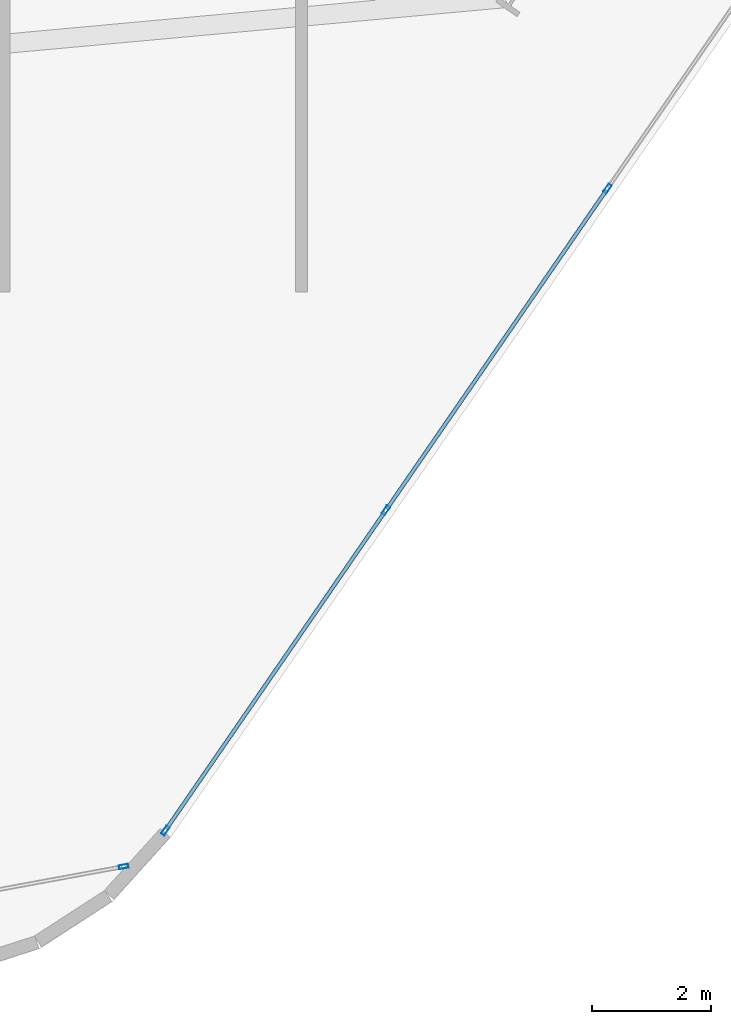
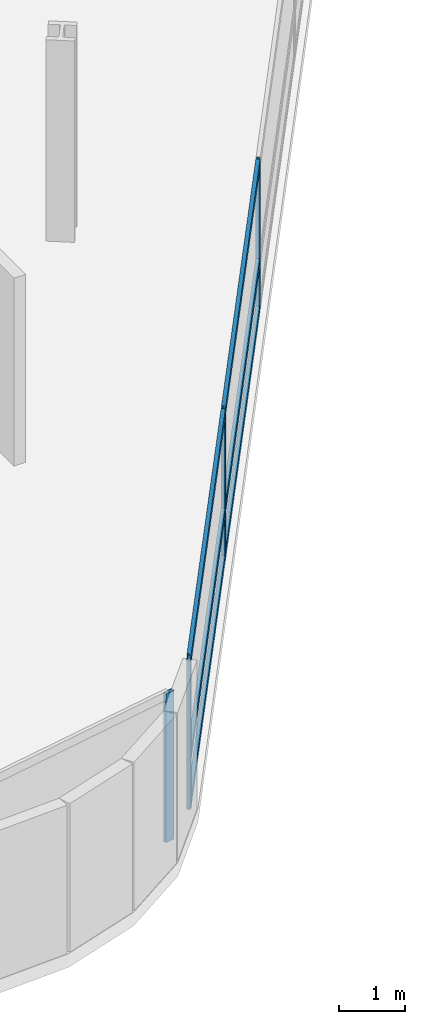
# One storey, part 8 of 27: 10 members, 2 elements without a shape of their own.
"""IFC4 building model written with IfcOpenShell, lengths in metres."""

from ifc_helpers import new_model, si_unit, direction, frame, origin, origin_2d, place, context, subcontext, project, spatial, hollow_rectangle, extrude, material, layer, layer_set, material_profile, profile_set, type_object, element, aggregate, save


model = new_model("IFC4")

# Units and contexts
model_context = context("Model", 3, precision=1e-05, world=origin(), true_north=direction((0.0, 1.0)))
body_context = subcontext(model_context, "Body", "Model", "MODEL_VIEW")
ifc_project = project(units=[si_unit("LENGTHUNIT", "METRE"), si_unit("AREAUNIT", "SQUARE_METRE"), si_unit("VOLUMEUNIT", "CUBIC_METRE"), si_unit("PLANEANGLEUNIT", "RADIAN"), si_unit("MASSUNIT", "GRAM", prefix="KILO")], contexts=[model_context])

# Site, building, storey
site_placement = place(None, origin())
site = spatial("IfcSite", under=ifc_project, at=site_placement, CompositionType="ELEMENT")
building_placement = place(site_placement, origin())
building = spatial("IfcBuilding", under=site, at=building_placement, Name="Varnelok Gate Tower", CompositionType="ELEMENT")
storey_placement = place(building_placement, frame((0.0, 0.0, 30.699951171875)))
storey = spatial("IfcBuildingStorey", under=building, at=storey_placement, Name="L06", CompositionType="ELEMENT", Elevation=30.699951171875)

# Curtain wall, members
ifc_material = material(Name="Anodized Aluminum Alloy 6063-T6", Category="aluminium")
ifc_layer_1 = layer(ifc_material, 0.179931640625)
ifc_layer_set_1 = layer_set([ifc_layer_1], Name="Anodized Aluminum Alloy 6063-T6")
curtain_wall_type_1 = type_object("IfcCurtainWallType", Name="CW3-HOTEL-VISION", PredefinedType="USERDEFINED", material=ifc_layer_set_1)
curtain_wall_1_placement = place(storey_placement, origin())
curtain_wall_1 = element("IfcCurtainWall", 1, at=curtain_wall_1_placement, inside=storey, type_object=curtain_wall_type_1, Name="L06 East End Vision Curtain Wall", ObjectType="UNITISED CURTAIN WALL", PredefinedType="USERDEFINED")
ifc_material_profile_1 = material_profile(ifc_material, hollow_rectangle(XDim=0.06494140625, YDim=0.159912109375, WallThickness=0.00390625, at=origin_2d()), Name="ALU160X65X4")
ifc_profile_set_1 = profile_set([ifc_material_profile_1], Name="Anodized Aluminum Alloy 6063-T6")
member_type_1 = type_object("IfcMemberType", Name="CW-MULL-160", PredefinedType="MULLION", material=ifc_profile_set_1)
member_1_placement = place(storey_placement, frame((67.64208984375, -2.265380859375, 0.0), z_axis=(0.0, 0.0, 1.0), x_axis=(0.823532685111, -0.567268822124, 0.0)))
member_1 = element("IfcMember", 2, at=member_1_placement, type_object=member_type_1, Name="CW3 mullion 5", PredefinedType="MULLION", context=body_context, shape_type="SweptSolid", body=[
    extrude(hollow_rectangle(XDim=0.06494140625, YDim=0.159912109375, WallThickness=0.00390625, at=origin_2d()), origin(), (0.0, 0.0, 1.0), 2.72998046875),
])
member_2_placement = place(storey_placement, frame((63.9169921875, -7.67333984375, 0.0), z_axis=(0.0, 0.0, 1.0), x_axis=(0.823532685111, -0.567268822124, 0.0)))
member_2 = element("IfcMember", 3, at=member_2_placement, type_object=member_type_1, Name="CW3 mullion 6", PredefinedType="MULLION", context=body_context, shape_type="SweptSolid", body=[
    extrude(hollow_rectangle(XDim=0.06494140625, YDim=0.159912109375, WallThickness=0.00390625, at=origin_2d()), origin(), (0.0, 0.0, 1.0), 2.72998046875),
])
member_3_placement = place(storey_placement, frame((60.21044921875, -13.054443359375, 0.0), z_axis=(0.0, 0.0, 1.0), x_axis=(0.823532685111, -0.567268822124, 0.0)))
member_3 = element("IfcMember", 4, at=member_3_placement, type_object=member_type_1, Name="CW3 mullion 7", PredefinedType="MULLION", context=body_context, shape_type="SweptSolid", body=[
    extrude(hollow_rectangle(XDim=0.06494140625, YDim=0.159912109375, WallThickness=0.00390625, at=origin_2d()), origin(), (0.0, 0.0, 1.0), 2.72998046875),
])

# Curtain wall, member
ifc_layer_2 = layer(ifc_material, 0.179931640625)
ifc_layer_set_2 = layer_set([ifc_layer_2], Name="Anodized Aluminum Alloy 6063-T6")
curtain_wall_type_2 = type_object("IfcCurtainWallType", Name="CW5-WINDCORNER-GLAZ", PredefinedType="USERDEFINED", material=ifc_layer_set_2)
curtain_wall_2_placement = place(storey_placement, origin())
curtain_wall_2 = element("IfcCurtainWall", 5, at=curtain_wall_2_placement, inside=storey, type_object=curtain_wall_type_2, Name="L06 Wind-Shaped Corner Curtain Wall SE", ObjectType="STRUCTURAL GLAZING", PredefinedType="USERDEFINED")
member_4_placement = place(storey_placement, frame((59.510498046875, -13.65966796875, 0.0), z_axis=(0.0, 0.0, 1.0), x_axis=(-0.181203239917, 0.983445670001, 0.0)))
member_4 = element("IfcMember", 6, at=member_4_placement, type_object=member_type_1, Name="CW5 mullion 2", PredefinedType="MULLION", context=body_context, shape_type="SweptSolid", body=[
    extrude(hollow_rectangle(XDim=0.06494140625, YDim=0.159912109375, WallThickness=0.00390625, at=origin_2d()), origin(), (0.0, 0.0, 1.0), 2.72998046875),
])
aggregate(curtain_wall_2, [member_4])

# Member
ifc_material_profile_2 = material_profile(ifc_material, hollow_rectangle(XDim=0.06494140625, YDim=0.159912109375, WallThickness=0.00390625, at=origin_2d()), Name="ALU160X65X4")
ifc_profile_set_2 = profile_set([ifc_material_profile_2], Name="Anodized Aluminum Alloy 6063-T6")
member_type_2 = type_object("IfcMemberType", Name="CW-TRAN-160", PredefinedType="USERDEFINED", material=ifc_profile_set_2)
member_5_placement = place(storey_placement, frame((67.623779296875, -2.292236328125, 0.032470703125), z_axis=(-0.567279204469, -0.823525533409, 0.0), x_axis=(0.823525533409, -0.567279204469, 0.0)))
member_5 = element("IfcMember", 7, at=member_5_placement, type_object=member_type_2, Name="CW3 transom 5.1", ObjectType="TRANSOM", PredefinedType="USERDEFINED", context=body_context, shape_type="SweptSolid", body=[
    extrude(hollow_rectangle(XDim=0.06494140625, YDim=0.159912109375, WallThickness=0.00390625, at=origin_2d()), origin(), (0.0, 0.0, 1.0), 6.501708984375),
])

member_6_placement = place(storey_placement, frame((67.623779296875, -2.292236328125, 0.900146484375), z_axis=(-0.567279204469, -0.823525533409, 0.0), x_axis=(0.823525533409, -0.567279204469, 0.0)))
member_6 = element("IfcMember", 8, at=member_6_placement, type_object=member_type_2, Name="CW3 transom 5.2", ObjectType="TRANSOM", PredefinedType="USERDEFINED", context=body_context, shape_type="SweptSolid", body=[
    extrude(hollow_rectangle(XDim=0.06494140625, YDim=0.159912109375, WallThickness=0.00390625, at=origin_2d()), origin(), (0.0, 0.0, 1.0), 6.501708984375),
])

member_7_placement = place(storey_placement, frame((67.623779296875, -2.292236328125, 2.697509765625), z_axis=(-0.567279204469, -0.823525533409, 0.0), x_axis=(0.823525533409, -0.567279204469, 0.0)))
member_7 = element("IfcMember", 9, at=member_7_placement, type_object=member_type_2, Name="CW3 transom 5.3", ObjectType="TRANSOM", PredefinedType="USERDEFINED", context=body_context, shape_type="SweptSolid", body=[
    extrude(hollow_rectangle(XDim=0.06494140625, YDim=0.159912109375, WallThickness=0.00390625, at=origin_2d()), origin(), (0.0, 0.0, 1.0), 6.501708984375),
])

member_8_placement = place(storey_placement, frame((63.898681640625, -7.699951171875, 0.032470703125), z_axis=(-0.567281349446, -0.823524055854, 0.0), x_axis=(0.823524055854, -0.567281349446, 0.0)))
member_8 = element("IfcMember", 10, at=member_8_placement, type_object=member_type_2, Name="CW3 transom 6.1", ObjectType="TRANSOM", PredefinedType="USERDEFINED", context=body_context, shape_type="SweptSolid", body=[
    extrude(hollow_rectangle(XDim=0.06494140625, YDim=0.159912109375, WallThickness=0.00390625, at=origin_2d()), origin(), (0.0, 0.0, 1.0), 6.46923828125),
])

member_9_placement = place(storey_placement, frame((63.898681640625, -7.699951171875, 0.900146484375), z_axis=(-0.567281349446, -0.823524055854, 0.0), x_axis=(0.823524055854, -0.567281349446, 0.0)))
member_9 = element("IfcMember", 11, at=member_9_placement, type_object=member_type_2, Name="CW3 transom 6.2", ObjectType="TRANSOM", PredefinedType="USERDEFINED", context=body_context, shape_type="SweptSolid", body=[
    extrude(hollow_rectangle(XDim=0.06494140625, YDim=0.159912109375, WallThickness=0.00390625, at=origin_2d()), origin(), (0.0, 0.0, 1.0), 6.46923828125),
])

member_10_placement = place(storey_placement, frame((63.898681640625, -7.699951171875, 2.697509765625), z_axis=(-0.567281349446, -0.823524055854, 0.0), x_axis=(0.823524055854, -0.567281349446, 0.0)))
member_10 = element("IfcMember", 12, at=member_10_placement, type_object=member_type_2, Name="CW3 transom 6.3", ObjectType="TRANSOM", PredefinedType="USERDEFINED", context=body_context, shape_type="SweptSolid", body=[
    extrude(hollow_rectangle(XDim=0.06494140625, YDim=0.159912109375, WallThickness=0.00390625, at=origin_2d()), origin(), (0.0, 0.0, 1.0), 6.46923828125),
])

aggregate(curtain_wall_1, [member_1, member_2, member_3, member_5, member_6, member_7, member_8, member_9, member_10])

save(model, "model.ifc")
